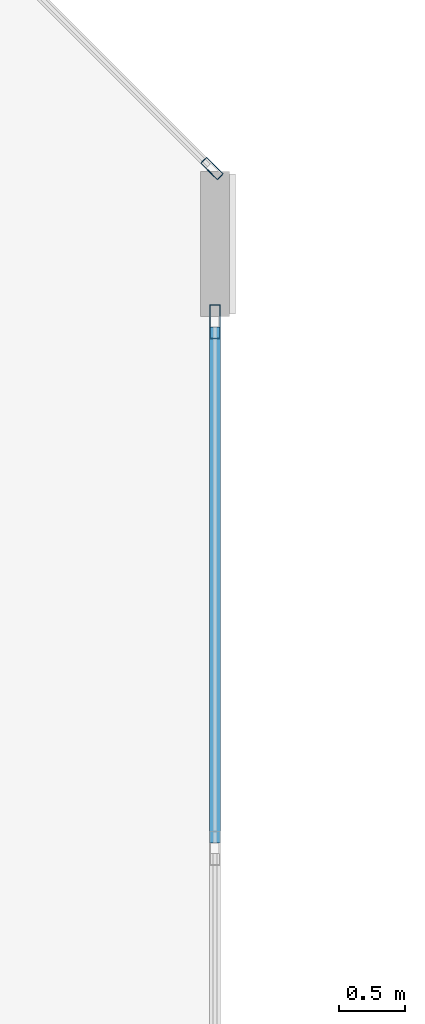
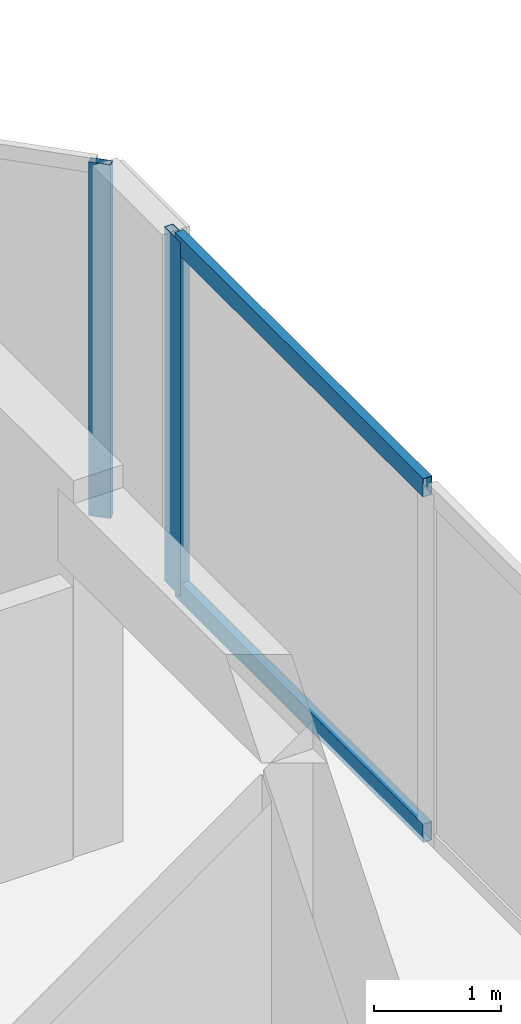
# One storey, part 8 of 28: 4 members, 2 elements without a shape of their own.
"""IFC4 building model written with IfcOpenShell, lengths in metres."""

from ifc_helpers import new_model, si_unit, direction, frame, origin, origin_2d, place, context, subcontext, project, spatial, hollow_rectangle, extrude, material, layer, layer_set, material_profile, profile_set, type_object, element, aggregate, save


model = new_model("IFC4")

# Units and contexts
model_context = context("Model", 3, precision=1e-05, world=origin(), true_north=direction((0.0, 1.0)))
body_context = subcontext(model_context, "Body", "Model", "MODEL_VIEW")
ifc_project = project(units=[si_unit("LENGTHUNIT", "METRE"), si_unit("AREAUNIT", "SQUARE_METRE"), si_unit("VOLUMEUNIT", "CUBIC_METRE"), si_unit("PLANEANGLEUNIT", "RADIAN"), si_unit("MASSUNIT", "GRAM", prefix="KILO")], contexts=[model_context])

# Site, building, storey
site_placement = place(None, origin())
site = spatial("IfcSite", under=ifc_project, at=site_placement, CompositionType="ELEMENT")
building_placement = place(site_placement, origin())
building = spatial("IfcBuilding", under=site, at=building_placement, Name="Tanjung Sevakor Pilgrim Tower", CompositionType="ELEMENT")
storey_placement = place(building_placement, frame((0.0, 0.0, 246.179931640625)))
storey = spatial("IfcBuildingStorey", under=building, at=storey_placement, Name="L69", CompositionType="ELEMENT", Elevation=246.179931640625)

# Curtain wall, member
ifc_material_1 = material(Name="Aluminium 6063-T6 and Low-E Glass", Category="aluminium")
ifc_layer_1 = layer(ifc_material_1, 0.179931640625)
ifc_layer_set_1 = layer_set([ifc_layer_1], Name="CW-SYS-CHAM")
curtain_wall_type_1 = type_object("IfcCurtainWallType", Name="CW-SYS-CHAM", PredefinedType="NOTDEFINED", material=ifc_layer_set_1)
curtain_wall_1_placement = place(storey_placement, origin())
curtain_wall_1 = element("IfcCurtainWall", 1, at=curtain_wall_1_placement, inside=storey, type_object=curtain_wall_type_1, Name="L69 Curtain Wall CW-CHM-L69-WEST-3", PredefinedType="NOTDEFINED")
ifc_material_2 = material(Name="Aluminium 6063-T6", Category="aluminium")
ifc_material_profile_1 = material_profile(ifc_material_2, hollow_rectangle(XDim=0.06494140625, YDim=0.179931640625, WallThickness=0.00390625, at=origin_2d()))
ifc_profile_set_1 = profile_set([ifc_material_profile_1], Name="Aluminium 6063-T6")
member_type_1 = type_object("IfcMemberType", Name="TYPE-CWM-1", PredefinedType="MULLION", material=ifc_profile_set_1)
member_1_placement = place(storey_placement, frame((38.317138671875, 40.77734375, 0.0), z_axis=(0.0, 0.0, 1.0), x_axis=(-0.707106781187, -0.707106781187, 0.0)))
member_1 = element("IfcMember", 2, at=member_1_placement, type_object=member_type_1, Name="CW-CHM mullion 1", PredefinedType="MULLION", context=body_context, shape_type="SweptSolid", body=[
    extrude(hollow_rectangle(XDim=0.06494140625, YDim=0.179931640625, WallThickness=0.00390625, at=origin_2d()), origin(), (0.0, 0.0, 1.0), 3.41015625),
])
aggregate(curtain_wall_1, [member_1])

# Curtain wall, members
ifc_material_3 = material(Name="Aluminium 6063-T6 and Low-E Glass", Category="aluminium")
ifc_layer_2 = layer(ifc_material_3, 0.199951171875)
ifc_layer_set_2 = layer_set([ifc_layer_2], Name="CW-SYS-CRNW")
curtain_wall_type_2 = type_object("IfcCurtainWallType", Name="CW-SYS-CRNW", PredefinedType="NOTDEFINED", material=ifc_layer_set_2)
curtain_wall_2_placement = place(storey_placement, origin())
curtain_wall_2 = element("IfcCurtainWall", 3, at=curtain_wall_2_placement, inside=storey, type_object=curtain_wall_type_2, Name="L69 Curtain Wall CW-CRN-L69-WEST-2-1", PredefinedType="NOTDEFINED")
ifc_material_4 = material(Name="Aluminium 6063-T6", Category="aluminium")
ifc_material_profile_2 = material_profile(ifc_material_4, hollow_rectangle(XDim=0.080078125, YDim=0.260009765625, WallThickness=0.0048828125, at=origin_2d()))
ifc_profile_set_2 = profile_set([ifc_material_profile_2], Name="Aluminium 6063-T6")
member_type_2 = type_object("IfcMemberType", Name="TYPE-CWM-3", PredefinedType="MULLION", material=ifc_profile_set_2)
member_2_placement = place(storey_placement, frame((38.340087890625, 39.614501953125, 0.0), z_axis=(0.0, 0.0, 1.0), x_axis=(-1.0, 0.0, 0.0)))
member_2 = element("IfcMember", 4, at=member_2_placement, type_object=member_type_2, Name="CW-CRW mullion 4", PredefinedType="MULLION", context=body_context, shape_type="SweptSolid", body=[
    extrude(hollow_rectangle(XDim=0.080078125, YDim=0.260009765625, WallThickness=0.0048828125, at=origin_2d()), origin(), (0.0, 0.0, 1.0), 3.41015625),
])
ifc_material_5 = material(Name="Aluminium 6063-T6", Category="aluminium")
ifc_material_profile_3 = material_profile(ifc_material_5, hollow_rectangle(XDim=0.080078125, YDim=0.179931640625, WallThickness=0.0048828125, at=origin_2d()))
ifc_profile_set_3 = profile_set([ifc_material_profile_3], Name="Aluminium 6063-T6")
member_type_3 = type_object("IfcMemberType", Name="TYPE-CWT-3", PredefinedType="USERDEFINED", material=ifc_profile_set_3)
member_3_placement = place(storey_placement, frame((38.340087890625, 35.658203125, 0.0400390625), z_axis=(0.0, 1.0, 0.0), x_axis=(-1.0, 0.0, 0.0)))
member_3 = element("IfcMember", 5, at=member_3_placement, type_object=member_type_3, Name="CW-CRW transom 3.1", ObjectType="TRANSOM", PredefinedType="USERDEFINED", context=body_context, shape_type="SweptSolid", body=[
    extrude(hollow_rectangle(XDim=0.080078125, YDim=0.179931640625, WallThickness=0.0048828125, at=origin_2d()), origin(), (0.0, 0.0, 1.0), 3.916259765625),
])
member_4_placement = place(storey_placement, frame((38.340087890625, 35.658203125, 3.3701171875), z_axis=(0.0, 1.0, 0.0), x_axis=(-1.0, 0.0, 0.0)))
member_4 = element("IfcMember", 6, at=member_4_placement, type_object=member_type_3, Name="CW-CRW transom 3.2", ObjectType="TRANSOM", PredefinedType="USERDEFINED", context=body_context, shape_type="SweptSolid", body=[
    extrude(hollow_rectangle(XDim=0.080078125, YDim=0.179931640625, WallThickness=0.0048828125, at=origin_2d()), origin(), (0.0, 0.0, 1.0), 3.916259765625),
])
aggregate(curtain_wall_2, [member_2, member_3, member_4])

save(model, "model.ifc")
